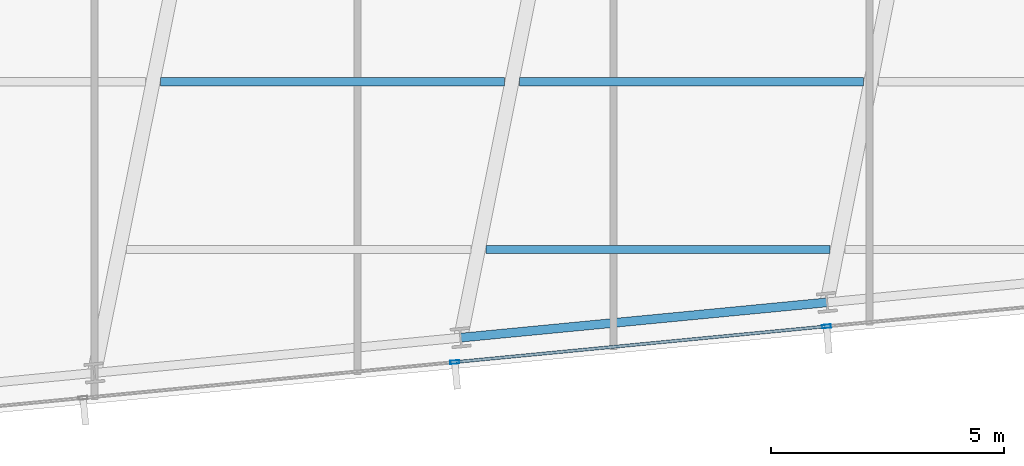
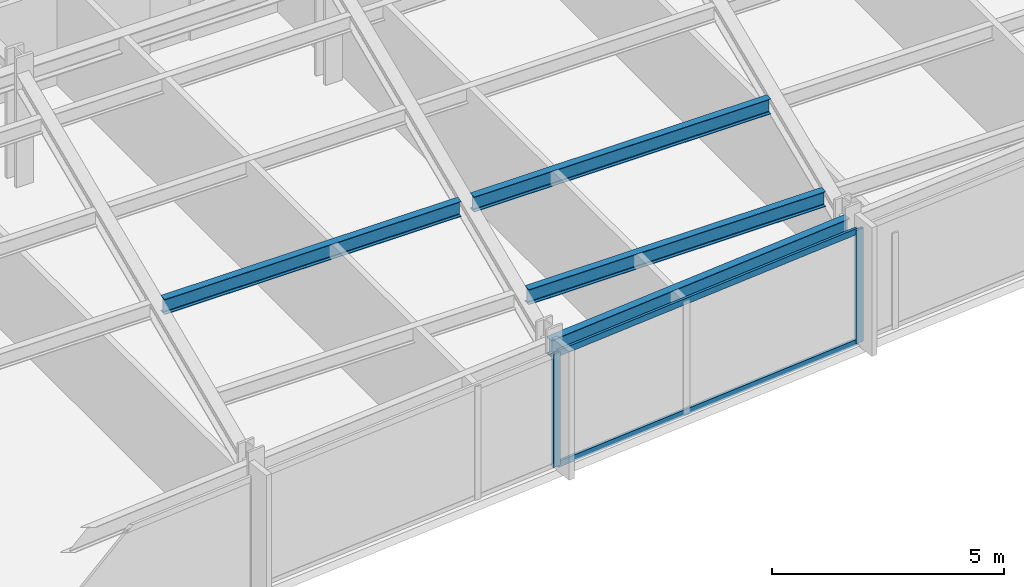
# One storey, part 4 of 32: 4 beams, 4 members, 1 element without a shape of its own.
"""IFC4 building model written with IfcOpenShell, lengths in metres."""

from ifc_helpers import new_model, si_unit, direction, frame, origin, origin_2d, place, context, subcontext, project, spatial, hollow_rectangle, i_section, extrude, material, material_profile, profile_set, type_object, element, aggregate, save


model = new_model("IFC4")

# Units and contexts
model_context = context("Model", 3, precision=1e-05, world=origin(), true_north=direction((0.0, 1.0)))
body_context = subcontext(model_context, "Body", "Model", "MODEL_VIEW")
ifc_project = project(units=[si_unit("LENGTHUNIT", "METRE"), si_unit("AREAUNIT", "SQUARE_METRE"), si_unit("VOLUMEUNIT", "CUBIC_METRE"), si_unit("PLANEANGLEUNIT", "RADIAN"), si_unit("MASSUNIT", "GRAM", prefix="KILO")], contexts=[model_context])

# Site, building, storey
site_placement = place(None, origin())
site = spatial("IfcSite", under=ifc_project, at=site_placement, CompositionType="ELEMENT")
building_placement = place(site_placement, origin())
building = spatial("IfcBuilding", under=site, at=building_placement, Name="Yelkora Congress Tower", CompositionType="ELEMENT")
storey_placement = place(building_placement, frame((0.0, 0.0, 133.89990234375)))
storey = spatial("IfcBuildingStorey", under=building, at=storey_placement, Name="L36", CompositionType="ELEMENT", Elevation=133.89990234375)

# Beams
ifc_material_1 = material(Name="Steel S355J2", Category="steel")
ifc_material_profile_1 = material_profile(ifc_material_1, i_section(OverallWidth=0.179931640625, OverallDepth=0.39990234375, WebThickness=0.008544921875, FlangeThickness=0.013427734375, FilletRadius=0.02099609375, at=origin_2d()), Name="IPE 400")
ifc_profile_set_1 = profile_set([ifc_material_profile_1], Name="Steel S355J2")
beam_type_1 = type_object("IfcBeamType", Name="BM-JOIST-IPE400", PredefinedType="JOIST", material=ifc_profile_set_1)
beam_1_placement = place(storey_placement, frame((36.023193359375, 12.54443359375, 2.780029296875), z_axis=(1.0, 0.0, 0.0), x_axis=(0.0, 1.0, 0.0)))
element("IfcBeam", 1, at=beam_1_placement, inside=storey, type_object=beam_type_1, Name="L36 Composite Floor Joist 2", PredefinedType="JOIST", context=body_context, shape_type="SweptSolid", body=[
    extrude(i_section(OverallWidth=0.179931640625, OverallDepth=0.39990234375, WebThickness=0.008544921875, FlangeThickness=0.013427734375, FilletRadius=0.02099609375, at=origin_2d()), origin(), (0.0, 0.0, 1.0), 7.37646484375),
])
beam_2_placement = place(storey_placement, frame((29.05419921875, 16.144287109375, 2.780029296875), z_axis=(1.0, 0.0, 0.0), x_axis=(0.0, 1.0, 0.0)))
element("IfcBeam", 2, at=beam_2_placement, inside=storey, type_object=beam_type_1, Name="L36 Composite Floor Joist 5", PredefinedType="JOIST", context=body_context, shape_type="SweptSolid", body=[
    extrude(i_section(OverallWidth=0.179931640625, OverallDepth=0.39990234375, WebThickness=0.008544921875, FlangeThickness=0.013427734375, FilletRadius=0.02099609375, at=origin_2d()), origin(), (0.0, 0.0, 1.0), 7.37060546875),
])
beam_3_placement = place(storey_placement, frame((36.744873046875, 16.144287109375, 2.780029296875), z_axis=(1.0, 0.0, 0.0), x_axis=(0.0, 1.0, 0.0)))
element("IfcBeam", 3, at=beam_3_placement, inside=storey, type_object=beam_type_1, Name="L36 Composite Floor Joist 6", PredefinedType="JOIST", context=body_context, shape_type="SweptSolid", body=[
    extrude(i_section(OverallWidth=0.179931640625, OverallDepth=0.39990234375, WebThickness=0.008544921875, FlangeThickness=0.013427734375, FilletRadius=0.02099609375, at=origin_2d()), origin(), (0.0, 0.0, 1.0), 7.371826171875),
])
ifc_material_profile_2 = material_profile(ifc_material_1, i_section(OverallWidth=0.18994140625, OverallDepth=0.449951171875, WebThickness=0.009521484375, FlangeThickness=0.0146484375, FilletRadius=0.02099609375, at=origin_2d()), Name="IPE 450")
ifc_profile_set_2 = profile_set([ifc_material_profile_2], Name="Steel S355J2")
beam_type_2 = type_object("IfcBeamType", Name="BM-SPAN-IPE450", PredefinedType="SPANDREL", material=ifc_profile_set_2)
beam_4_placement = place(storey_placement, frame((35.48486328125, 10.656005859375, 2.755126953125), z_axis=(0.995395575667, 0.095852219286, 0.0), x_axis=(-0.095852219286, 0.995395575667, 0.0)))
element("IfcBeam", 4, at=beam_4_placement, inside=storey, type_object=beam_type_2, Name="L36 Perimeter Beam 5", PredefinedType="SPANDREL", context=body_context, shape_type="SweptSolid", body=[
    extrude(i_section(OverallWidth=0.18994140625, OverallDepth=0.449951171875, WebThickness=0.009521484375, FlangeThickness=0.0146484375, FilletRadius=0.02099609375, at=origin_2d()), origin(), (0.0, 0.0, 1.0), 7.8857421875),
])

# Curtain wall, members
ifc_material_2 = material(Name="Anodised aluminium and insulated glass", Category="aluminium")
curtain_wall_type = type_object("IfcCurtainWallType", Name="CW-SYS-B2", PredefinedType="NOTDEFINED", material=ifc_material_2)
curtain_wall_placement = place(storey_placement, origin())
curtain_wall = element("IfcCurtainWall", 5, at=curtain_wall_placement, inside=storey, type_object=curtain_wall_type, Name="L36 Unitised Curtain Wall 20", PredefinedType="NOTDEFINED")
ifc_material_3 = material(Name="Anodised aluminium 6063-T6", Category="aluminium")
ifc_material_profile_3 = material_profile(ifc_material_3, hollow_rectangle(XDim=0.070068359375, YDim=0.18994140625, WallThickness=0.00390625, at=origin_2d()), Name="ALU 70x190x4")
ifc_profile_set_3 = profile_set([ifc_material_profile_3], Name="Anodised aluminium 6063-T6")
member_type_1 = type_object("IfcMemberType", Name="MEM-ML-B2", PredefinedType="MULLION", material=ifc_profile_set_3)
member_1_placement = place(storey_placement, frame((43.32470703125, 10.898681640625, 0.0), z_axis=(0.0, 0.0, 1.0), x_axis=(0.095844345816, -0.995396333816, 0.0)))
member_1 = element("IfcMember", 6, at=member_1_placement, type_object=member_type_1, Name="CW-B2 mullion 5", PredefinedType="MULLION", context=body_context, shape_type="SweptSolid", body=[
    extrude(hollow_rectangle(XDim=0.070068359375, YDim=0.18994140625, WallThickness=0.00390625, at=origin_2d()), origin(), (0.0, 0.0, 1.0), 2.97998046875),
])
member_2_placement = place(storey_placement, frame((35.358642578125, 10.131591796875, 0.0), z_axis=(0.0, 0.0, 1.0), x_axis=(0.095844345816, -0.995396333816, 0.0)))
member_2 = element("IfcMember", 7, at=member_2_placement, type_object=member_type_1, Name="CW-B2 mullion 6", PredefinedType="MULLION", context=body_context, shape_type="SweptSolid", body=[
    extrude(hollow_rectangle(XDim=0.070068359375, YDim=0.18994140625, WallThickness=0.00390625, at=origin_2d()), origin(), (0.0, 0.0, 1.0), 2.97998046875),
])
ifc_material_profile_4 = material_profile(ifc_material_3, hollow_rectangle(XDim=0.06494140625, YDim=0.159912109375, WallThickness=0.00390625, at=origin_2d()), Name="ALU 65x160x4")
ifc_profile_set_4 = profile_set([ifc_material_profile_4], Name="Anodised aluminium 6063-T6")
member_type_2 = type_object("IfcMemberType", Name="MEM-TR-B2", PredefinedType="USERDEFINED", material=ifc_profile_set_4)
member_3_placement = place(storey_placement, frame((43.289794921875, 10.895263671875, 0.03271484375), z_axis=(-0.995397010735, -0.095837315383, 0.0), x_axis=(0.095837315383, -0.995397010735, 0.0)))
member_3 = element("IfcMember", 8, at=member_3_placement, type_object=member_type_2, Name="CW-B2 transom 5.1", ObjectType="TRANSOM", PredefinedType="USERDEFINED", context=body_context, shape_type="SweptSolid", body=[
    extrude(hollow_rectangle(XDim=0.06494140625, YDim=0.159912109375, WallThickness=0.00390625, at=origin_2d()), origin(), (0.0, 0.0, 1.0), 7.932861328125),
])
member_4_placement = place(storey_placement, frame((43.289794921875, 10.895263671875, 2.947509765625), z_axis=(-0.995397010735, -0.095837315383, 0.0), x_axis=(0.095837315383, -0.995397010735, 0.0)))
member_4 = element("IfcMember", 9, at=member_4_placement, type_object=member_type_2, Name="CW-B2 transom 5.2", ObjectType="TRANSOM", PredefinedType="USERDEFINED", context=body_context, shape_type="SweptSolid", body=[
    extrude(hollow_rectangle(XDim=0.06494140625, YDim=0.159912109375, WallThickness=0.00390625, at=origin_2d()), origin(), (0.0, 0.0, 1.0), 7.932861328125),
])
aggregate(curtain_wall, [member_1, member_2, member_3, member_4])

save(model, "model.ifc")
